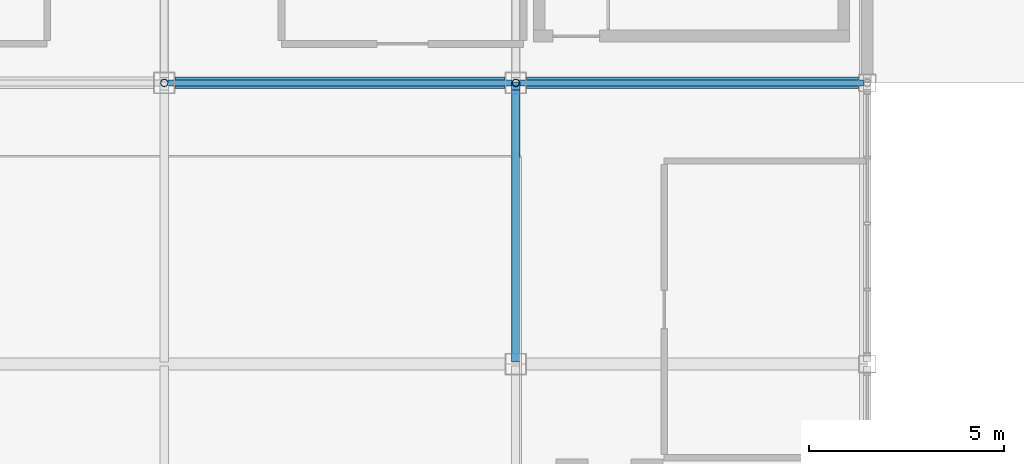
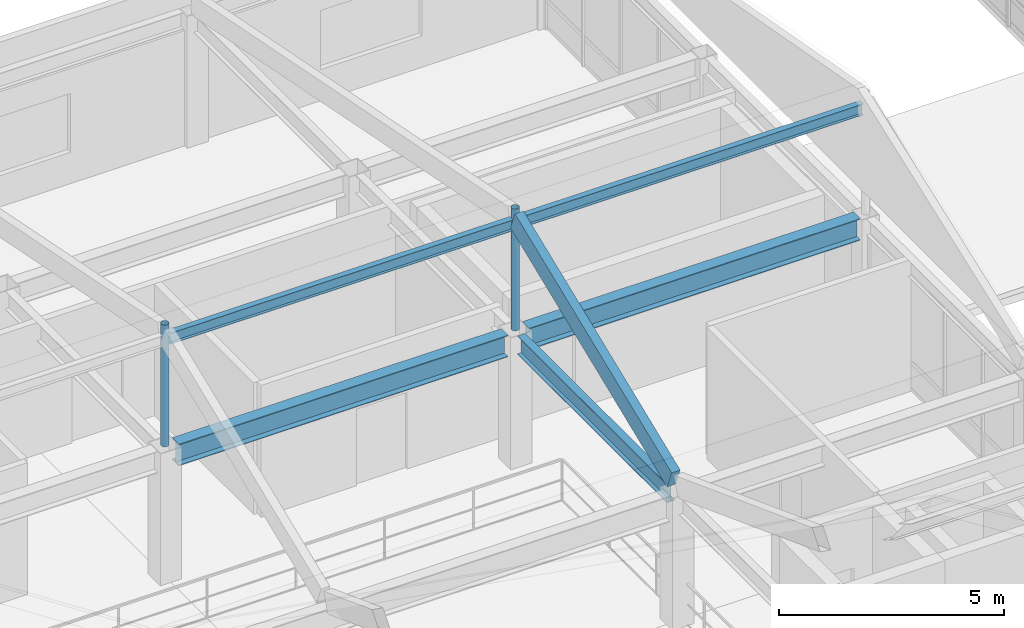
# One storey, part 19 of 113: 5 beams, 3 members.
"""IFC4 building model written with IfcOpenShell, lengths in metres."""

from ifc_helpers import new_model, si_unit, direction, frame, origin, origin_2d, place, context, subcontext, project, spatial, rectangle, hollow_circle, i_section, extrude, material, material_profile, profile_set, type_object, element, save


model = new_model("IFC4")

# Units and contexts
model_context = context("Model", 3, precision=1e-05, world=origin(), true_north=direction((0.0, 1.0)))
body_context = subcontext(model_context, "Body", "Model", "MODEL_VIEW")
ifc_project = project(units=[si_unit("LENGTHUNIT", "METRE"), si_unit("AREAUNIT", "SQUARE_METRE"), si_unit("VOLUMEUNIT", "CUBIC_METRE"), si_unit("PLANEANGLEUNIT", "RADIAN"), si_unit("MASSUNIT", "GRAM", prefix="KILO")], contexts=[model_context])

# Site, building, storey
site_placement = place(None, origin())
site = spatial("IfcSite", under=ifc_project, at=site_placement, CompositionType="ELEMENT")
building_placement = place(site_placement, origin())
building = spatial("IfcBuilding", under=site, at=building_placement, Name="Kazanami Central Library", CompositionType="ELEMENT")
storey_placement = place(building_placement, frame((0.0, 0.0, 8.800048828125)))
storey = spatial("IfcBuildingStorey", under=building, at=storey_placement, Name="L03", CompositionType="ELEMENT", Elevation=8.800048828125)

# Beams
ifc_material_1 = material(Name="Steel SN490B (325 MPa)", Category="steel")
ifc_material_profile_1 = material_profile(ifc_material_1, i_section(OverallWidth=0.14990234375, OverallDepth=0.300048828125, WebThickness=0.006591796875, FlangeThickness=0.009033203125, at=origin_2d()), Name="H-300x150x6.5x9")
ifc_profile_set_1 = profile_set([ifc_material_profile_1], Name="Steel SN490B (325 MPa)")
beam_type_1 = type_object("IfcBeamType", Name="BM-CAN-300", PredefinedType="SPANDREL", material=ifc_profile_set_1)
for number, where, z_axis, x_axis, name in (
    (1, (18.097900390625, 21.60009765625, 6.4599609375), (1.0, 0.0, 0.0), (0.0, 1.0, 0.0), "Folded Shell Ridge Girder FOLD-L03-V3-N Bay 3"),
    (2, (27.097900390625, 21.60009765625, 6.4599609375), (1.0, 0.0, 0.0), (0.0, 1.0, 0.0), "Folded Shell Ridge Girder FOLD-L03-V3-N Bay 4"),
):
    element("IfcBeam", number, at=place(storey_placement, frame(where, z_axis=z_axis, x_axis=x_axis)), inside=storey, type_object=beam_type_1, Name=name, PredefinedType="BEAM", context=body_context, shape_type="SweptSolid", body=[
        extrude(i_section(OverallWidth=0.14990234375, OverallDepth=0.300048828125, WebThickness=0.006591796875, FlangeThickness=0.009033203125, at=origin_2d()), origin(), (0.0, 0.0, 1.0), 8.80419921875),
    ])
ifc_material_profile_2 = material_profile(ifc_material_1, i_section(OverallWidth=0.300048828125, OverallDepth=0.587890625, WebThickness=0.011962890625, FlangeThickness=0.02001953125, at=origin_2d()), Name="H-588x300x12x20")
ifc_profile_set_2 = profile_set([ifc_material_profile_2], Name="Steel SN490B (325 MPa)")
beam_type_2 = type_object("IfcBeamType", Name="BM-G-X2", PredefinedType="BEAM", material=ifc_profile_set_2)
beam_1_placement = place(storey_placement, frame((18.27294921875, 21.60009765625, 3.285888671875), z_axis=(1.0, 0.0, 0.0), x_axis=(0.0, 1.0, 0.0)))
element("IfcBeam", 3, at=beam_1_placement, inside=storey, type_object=beam_type_2, Name="Girder G-X2 L03 D/3-4", PredefinedType="BEAM", context=body_context, shape_type="SweptSolid", body=[
    extrude(i_section(OverallWidth=0.300048828125, OverallDepth=0.587890625, WebThickness=0.011962890625, FlangeThickness=0.02001953125, at=origin_2d()), origin(), (0.0, 0.0, 1.0), 8.4541015625),
])
beam_2_placement = place(storey_placement, frame((27.27294921875, 21.60009765625, 3.285888671875), z_axis=(1.0, 0.0, 0.0), x_axis=(0.0, 1.0, 0.0)))
element("IfcBeam", 4, at=beam_2_placement, inside=storey, type_object=beam_type_2, Name="Girder G-X2 L03 D/4-5", PredefinedType="BEAM", context=body_context, shape_type="SweptSolid", body=[
    extrude(i_section(OverallWidth=0.300048828125, OverallDepth=0.587890625, WebThickness=0.011962890625, FlangeThickness=0.02001953125, at=origin_2d()), origin(), (0.0, 0.0, 1.0), 8.504150390625),
])
ifc_material_profile_3 = material_profile(ifc_material_1, i_section(OverallWidth=0.199951171875, OverallDepth=0.5, WebThickness=0.010009765625, FlangeThickness=0.01611328125, at=origin_2d()), Name="H-500x200x10x16")
ifc_profile_set_3 = profile_set([ifc_material_profile_3], Name="Steel SN490B (325 MPa)")
beam_type_3 = type_object("IfcBeamType", Name="BM-G-Y2", PredefinedType="BEAM", material=ifc_profile_set_3)
beam_3_placement = place(storey_placement, frame((27.0, 14.673095703125, 3.329833984375), z_axis=(0.0, 1.0, 0.0), x_axis=(-1.0, 0.0, 0.0)))
element("IfcBeam", 5, at=beam_3_placement, inside=storey, type_object=beam_type_3, Name="Girder G-Y2 L03 4/C-D", PredefinedType="BEAM", context=body_context, shape_type="SweptSolid", body=[
    extrude(i_section(OverallWidth=0.199951171875, OverallDepth=0.5, WebThickness=0.010009765625, FlangeThickness=0.01611328125, at=origin_2d()), origin(), (0.0, 0.0, 1.0), 6.65380859375),
])

# Members
ifc_material_2 = material(Name="Glulam GL28h (28 MPa)", Category="wood")
ifc_material_profile_4 = material_profile(ifc_material_2, rectangle(XDim=0.219970703125, YDim=0.5400390625, at=origin_2d()), Name="GL28h-220x540")
ifc_profile_set_4 = profile_set([ifc_material_profile_4], Name="Glulam GL28h (28 MPa)")
member_type_1 = type_object("IfcMemberType", Name="MEM-GL-01", PredefinedType="RAFTER", material=ifc_profile_set_4)
member_placement = place(storey_placement, frame((27.0, 14.550048828125, 3.780029296875), z_axis=(0.0, 0.927471818786, 0.373893066742), x_axis=(-1.0, 0.0, 0.0)))
element("IfcMember", 6, at=member_placement, inside=storey, type_object=member_type_1, Name="Glulam Timber Shell Rafter GL-01 FOLD-L03-V3-N Grid 4 South", PredefinedType="RAFTER", context=body_context, shape_type="SweptSolid", body=[
    extrude(rectangle(XDim=0.219970703125, YDim=0.5400390625, at=origin_2d()), origin(), (0.0, 0.0, 1.0), 7.51513671875),
])
ifc_material_3 = material(Name="Steel STK490 (315 MPa)", Category="steel")
ifc_material_profile_5 = material_profile(ifc_material_3, hollow_circle(Radius=0.095458984375, WallThickness=0.007080078125, at=origin_2d()), Name="CHS-190.7x7.0")
ifc_profile_set_5 = profile_set([ifc_material_profile_5], Name="Steel STK490 (315 MPa)")
member_type_2 = type_object("IfcMemberType", Name="MEM-VST-190", PredefinedType="STRUT", material=ifc_profile_set_5)
for number, where, z_axis, x_axis, name in (
    (7, (18.0, 21.60009765625, 3.579833984375), (0.0, 0.0, 1.0), (1.0, 0.0, 0.0), "Folded Shell Ridge Strut Post FOLD-L03-V3-N Grid 3"),
    (8, (27.0, 21.60009765625, 3.579833984375), (0.0, 0.0, 1.0), (1.0, 0.0, 0.0), "Folded Shell Ridge Strut Post FOLD-L03-V3-N Grid 4"),
):
    element("IfcMember", number, at=place(storey_placement, frame(where, z_axis=z_axis, x_axis=x_axis)), inside=storey, type_object=member_type_2, Name=name, PredefinedType="POST", context=body_context, shape_type="SweptSolid", body=[
        extrude(hollow_circle(Radius=0.095458984375, WallThickness=0.007080078125, at=origin_2d()), origin(), (0.0, 0.0, 1.0), 3.304443359375),
    ])

save(model, "model.ifc")
